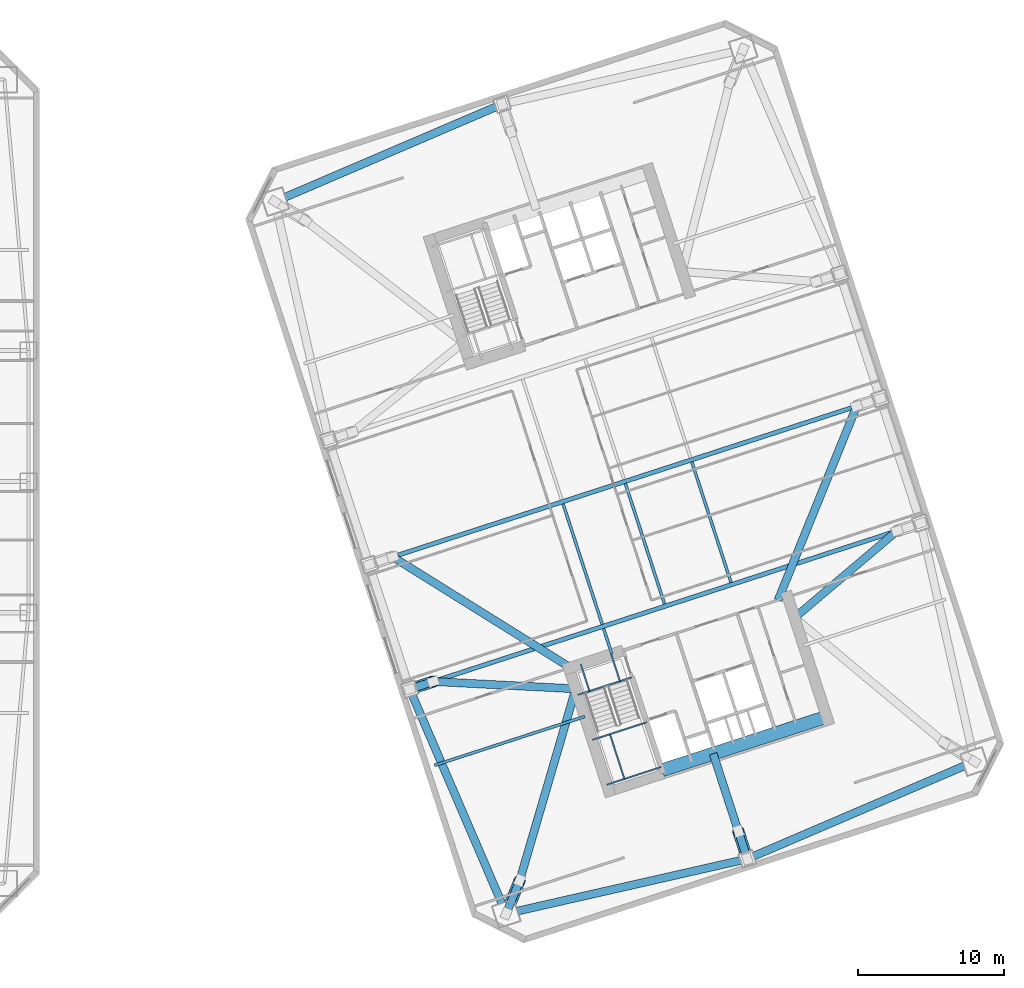
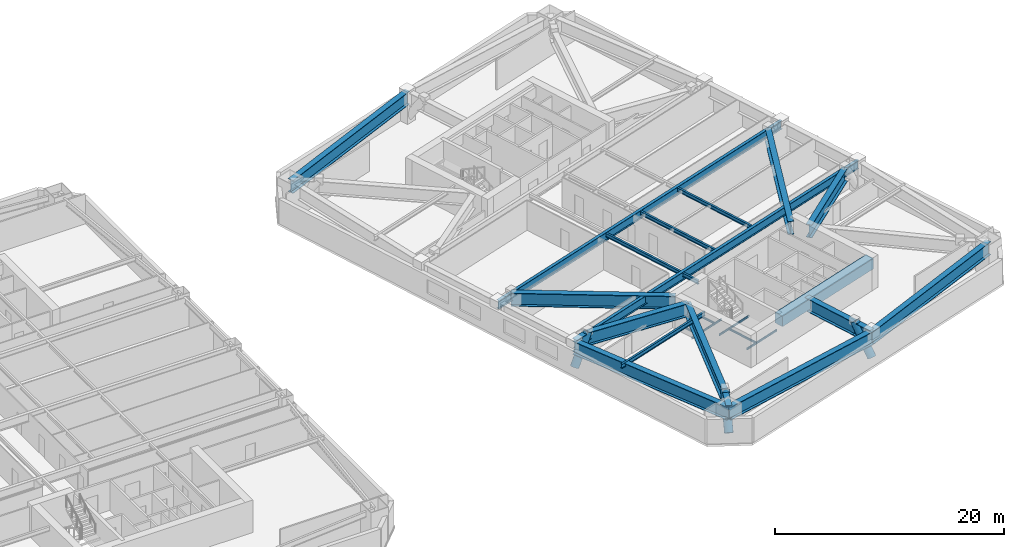
# One storey, part 7 of 18: 27 beams, 3 members.
"""IFC4 building model written with IfcOpenShell, lengths in metres."""

from ifc_helpers import new_model, si_unit, direction, frame, origin, origin_2d, place, context, subcontext, project, spatial, rectangle, hollow_circle, i_section, extrude, material, material_profile, profile_set, type_object, element, save


model = new_model("IFC4")

# Units and contexts
model_context = context("Model", 3, precision=1e-05, world=origin(), true_north=direction((0.0, 1.0)))
body_context = subcontext(model_context, "Body", "Model", "MODEL_VIEW")
ifc_project = project(units=[si_unit("LENGTHUNIT", "METRE"), si_unit("AREAUNIT", "SQUARE_METRE"), si_unit("VOLUMEUNIT", "CUBIC_METRE"), si_unit("PLANEANGLEUNIT", "RADIAN"), si_unit("MASSUNIT", "GRAM", prefix="KILO")], contexts=[model_context])

# Site, building, storey
site_placement = place(None, origin())
site = spatial("IfcSite", under=ifc_project, at=site_placement, CompositionType="ELEMENT")
building_placement = place(site_placement, origin())
building = spatial("IfcBuilding", under=site, at=building_placement, Name="Qiaolan Cultural Towers", CompositionType="ELEMENT")
storey_placement = place(building_placement, frame((0.0, 0.0, 74.75)))
storey = spatial("IfcBuildingStorey", under=building, at=storey_placement, Name="L18", CompositionType="ELEMENT", Elevation=74.75)

# Beams
ifc_material_1 = material(Name="Steel Q420GJB", Category="steel")
ifc_material_profile_1 = material_profile(ifc_material_1, i_section(OverallWidth=0.550048828125, OverallDepth=1.39990234375, WebThickness=0.031982421875, FlangeThickness=0.050048828125, at=origin_2d()), Name="BH1400x550x32x50")
ifc_profile_set_1 = profile_set([ifc_material_profile_1], Name="Steel Q420GJB")
beam_type_1 = type_object("IfcBeamType", Name="BM-BH1400x550x32x50", PredefinedType="BEAM", material=ifc_profile_set_1)
beam_1_placement = place(storey_placement, frame((81.862548828125, 4.32275390625, 2.530029296875), z_axis=(0.375732642979, 0.926728105217, 0.0), x_axis=(-0.926728105217, 0.375732642979, 0.0)))
element("IfcBeam", 1, at=beam_1_placement, inside=storey, type_object=beam_type_1, Name="L18 T2 Setback Transfer Girder MC-SW-A", PredefinedType="BEAM", context=body_context, shape_type="SweptSolid", body=[
    extrude(i_section(OverallWidth=0.550048828125, OverallDepth=1.39990234375, WebThickness=0.031982421875, FlangeThickness=0.050048828125, at=origin_2d()), origin(), (0.0, 0.0, 1.0), 2.4697265625),
])
beam_2_placement = place(storey_placement, frame((82.79052734375, 6.611572265625, 2.530029296875), z_axis=(0.28056168838, 0.959835995894, 0.0), x_axis=(-0.959835995894, 0.28056168838, 0.0)))
element("IfcBeam", 2, at=beam_2_placement, inside=storey, type_object=beam_type_1, Name="L18 T2 Setback Transfer Girder MC-SW-B", PredefinedType="BEAM", context=body_context, shape_type="SweptSolid", body=[
    extrude(i_section(OverallWidth=0.550048828125, OverallDepth=1.39990234375, WebThickness=0.031982421875, FlangeThickness=0.050048828125, at=origin_2d()), origin(), (0.0, 0.0, 1.0), 13.701904296875),
])
beam_3_placement = place(storey_placement, frame((75.234130859375, 19.739013671875, 2.530029296875), z_axis=(0.951054116971, 0.309024378638, 0.0), x_axis=(-0.309024378638, 0.951054116971, 0.0)))
element("IfcBeam", 3, at=beam_3_placement, inside=storey, type_object=beam_type_1, Name="L18 T2 Setback Transfer Girder PC-W1-A", PredefinedType="BEAM", context=body_context, shape_type="SweptSolid", body=[
    extrude(i_section(OverallWidth=0.550048828125, OverallDepth=1.39990234375, WebThickness=0.031982421875, FlangeThickness=0.050048828125, at=origin_2d()), origin(), (0.0, 0.0, 1.0), 1.7001953125),
])
beam_4_placement = place(storey_placement, frame((76.85107421875, 20.264404296875, 2.530029296875), z_axis=(0.998690309504, -0.051163128348, 0.0), x_axis=(0.051163128348, 0.998690309504, 0.0)))
element("IfcBeam", 4, at=beam_4_placement, inside=storey, type_object=beam_type_1, Name="L18 T2 Setback Transfer Girder PC-W1-B", PredefinedType="BEAM", context=body_context, shape_type="SweptSolid", body=[
    extrude(i_section(OverallWidth=0.550048828125, OverallDepth=1.39990234375, WebThickness=0.031982421875, FlangeThickness=0.050048828125, at=origin_2d()), origin(), (0.0, 0.0, 1.0), 9.796630859375),
])
beam_5_placement = place(storey_placement, frame((74.06982421875, 28.823974609375, 2.530029296875), z_axis=(0.848609454761, -0.529019842057, 0.0), x_axis=(0.529019842057, 0.848609454761, 0.0)))
element("IfcBeam", 5, at=beam_5_placement, inside=storey, type_object=beam_type_1, Name="L18 T2 Setback Transfer Girder PC-W2-B", PredefinedType="BEAM", context=body_context, shape_type="SweptSolid", body=[
    extrude(i_section(OverallWidth=0.550048828125, OverallDepth=1.39990234375, WebThickness=0.031982421875, FlangeThickness=0.050048828125, at=origin_2d()), origin(), (0.0, 0.0, 1.0), 14.372314453125),
])
beam_6_placement = place(storey_placement, frame((108.71142578125, 30.616455078125, 2.530029296875), z_axis=(-0.763104547734, -0.646275056944, 0.0), x_axis=(0.646275056944, -0.763104547734, 0.0)))
element("IfcBeam", 6, at=beam_6_placement, inside=storey, type_object=beam_type_1, Name="L18 T2 Setback Transfer Girder PC-E1-B", PredefinedType="BEAM", context=body_context, shape_type="SweptSolid", body=[
    extrude(i_section(OverallWidth=0.550048828125, OverallDepth=1.39990234375, WebThickness=0.031982421875, FlangeThickness=0.050048828125, at=origin_2d()), origin(), (0.0, 0.0, 1.0), 9.238525390625),
])
beam_7_placement = place(storey_placement, frame((105.93017578125, 39.176025390625, 2.530029296875), z_axis=(-0.375580900469, -0.926789613237, 0.0), x_axis=(0.926789613237, -0.375580900469, 0.0)))
element("IfcBeam", 7, at=beam_7_placement, inside=storey, type_object=beam_type_1, Name="L18 T2 Setback Transfer Girder PC-E2-B", PredefinedType="BEAM", context=body_context, shape_type="SweptSolid", body=[
    extrude(i_section(OverallWidth=0.550048828125, OverallDepth=1.39990234375, WebThickness=0.031982421875, FlangeThickness=0.050048828125, at=origin_2d()), origin(), (0.0, 0.0, 1.0), 14.372314453125),
])
beam_8_placement = place(storey_placement, frame((98.420654296875, 8.083740234375, 2.530029296875), z_axis=(-0.308967378027, 0.951072636193, 0.0), x_axis=(-0.951072636193, -0.308967378027, 0.0)))
element("IfcBeam", 8, at=beam_8_placement, inside=storey, type_object=beam_type_1, Name="L18 T2 Setback Transfer Girder PC-S0-A", PredefinedType="BEAM", context=body_context, shape_type="SweptSolid", body=[
    extrude(i_section(OverallWidth=0.550048828125, OverallDepth=1.39990234375, WebThickness=0.031982421875, FlangeThickness=0.050048828125, at=origin_2d()), origin(), (0.0, 0.0, 1.0), 2.0),
])
beam_9_placement = place(storey_placement, frame((97.802734375, 9.98583984375, 2.530029296875), z_axis=(-0.309012137225, 0.951058094465, 0.0), x_axis=(-0.951058094465, -0.309012137225, 0.0)))
element("IfcBeam", 9, at=beam_9_placement, inside=storey, type_object=beam_type_1, Name="L18 T2 Setback Transfer Girder PC-S0-B", PredefinedType="BEAM", context=body_context, shape_type="SweptSolid", body=[
    extrude(i_section(OverallWidth=0.550048828125, OverallDepth=1.39990234375, WebThickness=0.031982421875, FlangeThickness=0.050048828125, at=origin_2d()), origin(), (0.0, 0.0, 1.0), 5.60009765625),
])
for number, where, z_axis, x_axis, name in (
    (10, (81.862548828125, 4.32275390625, 2.489990234375), (0.975161095889, 0.221496810506, 0.0), (-0.221496810506, 0.975161095889, 0.0), "L18 T2 Perimeter Spandrel Beam 1"),
    (11, (98.420654296875, 8.083740234375, 2.489990234375), (0.919108584923, 0.394004326272, 0.0), (-0.394004326272, 0.919108584923, 0.0), "L18 T2 Perimeter Spandrel Beam 2"),
    (12, (81.579345703125, 59.916259765625, 2.489990234375), (-0.919108584923, -0.394004326272, 0.0), (0.394004326272, -0.919108584923, 0.0), "L18 T2 Perimeter Spandrel Beam 8"),
):
    element("IfcBeam", number, at=place(storey_placement, frame(where, z_axis=z_axis, x_axis=x_axis)), inside=storey, type_object=beam_type_1, Name=name, PredefinedType="BEAM", context=body_context, shape_type="SweptSolid", body=[
        extrude(i_section(OverallWidth=0.550048828125, OverallDepth=1.39990234375, WebThickness=0.031982421875, FlangeThickness=0.050048828125, at=origin_2d()), origin(), (0.0, 0.0, 1.0), 16.97998046875),
    ])
beam_10_placement = place(storey_placement, frame((75.234130859375, 19.739013671875, 2.489990234375), z_axis=(0.394998896054, -0.918681594524, 0.0), x_axis=(0.918681594524, 0.394998896054, 0.0)))
element("IfcBeam", 13, at=beam_10_placement, inside=storey, type_object=beam_type_1, Name="L18 T2 Perimeter Spandrel Beam 12", PredefinedType="BEAM", context=body_context, shape_type="SweptSolid", body=[
    extrude(i_section(OverallWidth=0.550048828125, OverallDepth=1.39990234375, WebThickness=0.031982421875, FlangeThickness=0.050048828125, at=origin_2d()), origin(), (0.0, 0.0, 1.0), 16.78076171875),
])
ifc_material_2 = material(Name="Steel Q355B", Category="steel")
ifc_material_profile_2 = material_profile(ifc_material_2, i_section(OverallWidth=0.300048828125, OverallDepth=0.89990234375, WebThickness=0.01611328125, FlangeThickness=0.028076171875, at=origin_2d()), Name="HN900x300x16x28")
ifc_profile_set_2 = profile_set([ifc_material_profile_2], Name="Steel Q355B")
beam_type_2 = type_object("IfcBeamType", Name="BM-HN900x300x16x28", PredefinedType="BEAM", material=ifc_profile_set_2)
beam_11_placement = place(storey_placement, frame((75.234130859375, 19.739013671875, 2.739990234375), z_axis=(0.951055702987, 0.309019497469, 0.0), x_axis=(-0.309019497469, 0.951055702987, 0.0)))
element("IfcBeam", 14, at=beam_11_placement, inside=storey, type_object=beam_type_2, Name="L18 T2 Primary Transverse Girder V1", PredefinedType="BEAM", context=body_context, shape_type="SweptSolid", body=[
    extrude(i_section(OverallWidth=0.300048828125, OverallDepth=0.89990234375, WebThickness=0.01611328125, FlangeThickness=0.028076171875, at=origin_2d()), origin(), (0.0, 0.0, 1.0), 36.900146484375),
])
beam_12_placement = place(storey_placement, frame((72.453125, 28.298583984375, 2.739990234375), z_axis=(0.951055071173, 0.309021441968, 0.0), x_axis=(-0.309021441968, 0.951055071173, 0.0)))
element("IfcBeam", 15, at=beam_12_placement, inside=storey, type_object=beam_type_2, Name="L18 T2 Primary Transverse Girder V2", PredefinedType="BEAM", context=body_context, shape_type="SweptSolid", body=[
    extrude(i_section(OverallWidth=0.300048828125, OverallDepth=0.89990234375, WebThickness=0.01611328125, FlangeThickness=0.028076171875, at=origin_2d()), origin(), (0.0, 0.0, 1.0), 36.89990234375),
])
ifc_material_3 = material(Name="Steel Q355B", Category="steel")
ifc_material_profile_3 = material_profile(ifc_material_3, i_section(OverallWidth=0.199951171875, OverallDepth=0.39990234375, WebThickness=0.008056640625, FlangeThickness=0.012939453125, at=origin_2d()), Name="HN400x200x8x13")
ifc_profile_set_3 = profile_set([ifc_material_profile_3], Name="Steel Q355B")
beam_type_3 = type_object("IfcBeamType", Name="BM-JST-HN400x200x8x13", PredefinedType="JOIST", material=ifc_profile_set_3)
beam_13_placement = place(storey_placement, frame((89.119384765625, 22.147705078125, 2.989990234375), z_axis=(-0.308933885266, 0.951083516067, 0.0), x_axis=(-0.951083516067, -0.308933885266, 0.0)))
element("IfcBeam", 16, at=beam_13_placement, inside=storey, type_object=beam_type_3, Name="L18 T2 Secondary Floor Joist U1-1", PredefinedType="JOIST", context=body_context, shape_type="SweptSolid", body=[
    extrude(i_section(OverallWidth=0.199951171875, OverallDepth=0.39990234375, WebThickness=0.008056640625, FlangeThickness=0.012939453125, at=origin_2d()), origin(), (0.0, 0.0, 1.0), 1.85009765625),
])
for number, where, z_axis, x_axis, name in (
    (17, (88.455078125, 24.192626953125, 2.989990234375), (-0.309020714809, 0.951055307445, 0.0), (-0.951055307445, -0.309020714809, 0.0), "L18 T2 Secondary Floor Joist U1-2"),
    (18, (92.73486328125, 25.583251953125, 2.989990234375), (-0.309020714809, 0.951055307445, 0.0), (-0.951055307445, -0.309020714809, 0.0), "L18 T2 Secondary Floor Joist U2-2"),
    (19, (97.2998046875, 27.06640625, 2.989990234375), (-0.309020714809, 0.951055307445, 0.0), (-0.951055307445, -0.309020714809, 0.0), "L18 T2 Secondary Floor Joist U3-2"),
):
    element("IfcBeam", number, at=place(storey_placement, frame(where, z_axis=z_axis, x_axis=x_axis)), inside=storey, type_object=beam_type_3, Name=name, PredefinedType="JOIST", context=body_context, shape_type="SweptSolid", body=[
        extrude(i_section(OverallWidth=0.199951171875, OverallDepth=0.39990234375, WebThickness=0.008056640625, FlangeThickness=0.012939453125, at=origin_2d()), origin(), (0.0, 0.0, 1.0), 8.699951171875),
    ])
ifc_material_4 = material(Name="Steel Q355B", Category="steel")
ifc_material_profile_4 = material_profile(ifc_material_4, i_section(OverallWidth=0.199951171875, OverallDepth=0.449951171875, WebThickness=0.009033203125, FlangeThickness=0.013916015625, at=origin_2d()), Name="HN450x200x9x14")
ifc_profile_set_4 = profile_set([ifc_material_profile_4], Name="Steel Q355B")
beam_type_4 = type_object("IfcBeamType", Name="BM-LNT-HN450x200x9x14", PredefinedType="LINTEL", material=ifc_profile_set_4)
beam_14_placement = place(storey_placement, frame((87.252685546875, 17.861083984375, 2.965087890625), z_axis=(-0.95105688584, -0.30901585703, 0.0), x_axis=(0.30901585703, -0.95105688584, 0.0)))
element("IfcBeam", 20, at=beam_14_placement, inside=storey, type_object=beam_type_4, Name="L18 T2 Core Flank Tie Lintel WS", PredefinedType="LINTEL", context=body_context, shape_type="SweptSolid", body=[
    extrude(i_section(OverallWidth=0.199951171875, OverallDepth=0.449951171875, WebThickness=0.009033203125, FlangeThickness=0.013916015625, at=origin_2d()), origin(), (0.0, 0.0, 1.0), 10.849853515625),
])
ifc_material_5 = material(Name="Concrete C50", Category="concrete")
ifc_material_profile_5 = material_profile(ifc_material_5, rectangle(XDim=0.89990234375, YDim=1.10009765625, at=origin_2d()), Name="RC900x1100")
ifc_profile_set_5 = profile_set([ifc_material_profile_5], Name="Concrete C50")
beam_type_5 = type_object("IfcBeamType", Name="BM-RC900x1100", PredefinedType="BEAM", material=ifc_profile_set_5)
beam_15_placement = place(storey_placement, frame((92.572265625, 14.174560546875, 2.639892578125), z_axis=(0.951056266386, 0.309017763514, 0.0), x_axis=(-0.309017763514, 0.951056266386, 0.0)))
element("IfcBeam", 21, at=beam_15_placement, inside=storey, type_object=beam_type_5, Name="L18 T2 Core Header Girder S", PredefinedType="BEAM", context=body_context, shape_type="SweptSolid", body=[
    extrude(rectangle(XDim=0.89990234375, YDim=1.10009765625, at=origin_2d()), origin(), (0.0, 0.0, 1.0), 11.880126953125),
])
ifc_material_6 = material(Name="Steel Q355B", Category="steel")
ifc_material_profile_6 = material_profile(ifc_material_6, i_section(OverallWidth=0.10009765625, OverallDepth=0.199951171875, WebThickness=0.005615234375, FlangeThickness=0.008056640625, at=origin_2d()), Name="HN200x100x5.5x8")
ifc_profile_set_6 = profile_set([ifc_material_profile_6], Name="Steel Q355B")
beam_type_6 = type_object("IfcBeamType", Name="BM-STTRIM-200", PredefinedType="BEAM", material=ifc_profile_set_6)
beam_16_placement = place(storey_placement, frame((86.770751953125, 19.3447265625, -0.4599609375), z_axis=(0.951047798727, 0.309043823005, 0.0), x_axis=(-0.309043823005, 0.951047798727, 0.0)))
element("IfcBeam", 22, at=beam_16_placement, inside=storey, type_object=beam_type_6, Name="L18 ST-E1 Floor Landing Header Beam", PredefinedType="BEAM", context=body_context, shape_type="SweptSolid", body=[
    extrude(i_section(OverallWidth=0.10009765625, OverallDepth=0.199951171875, WebThickness=0.005615234375, FlangeThickness=0.008056640625, at=origin_2d()), origin(), (0.0, 0.0, 1.0), 3.919921875),
])
for number, where, z_axis, x_axis, name in (
    (23, (86.9794921875, 21.452392578125, -0.4599609375), (0.309083226701, -0.951034993558, 0.0), (0.951034993558, 0.309083226701, 0.0), "L18 ST-E1 Floor Landing Stringer 1"),
    (24, (89.07177734375, 22.13232421875, -0.4599609375), (0.309083226701, -0.951034993558, 0.0), (0.951034993558, 0.309083226701, 0.0), "L18 ST-E1 Floor Landing Stringer 2"),
):
    element("IfcBeam", number, at=place(storey_placement, frame(where, z_axis=z_axis, x_axis=x_axis)), inside=storey, type_object=beam_type_6, Name=name, PredefinedType="BEAM", context=body_context, shape_type="SweptSolid", body=[
        extrude(i_section(OverallWidth=0.10009765625, OverallDepth=0.199951171875, WebThickness=0.005615234375, FlangeThickness=0.008056640625, at=origin_2d()), origin(), (0.0, 0.0, 1.0), 1.93994140625),
    ])
for number, where, z_axis, x_axis, name in (
    (25, (87.774658203125, 16.255126953125, 1.425048828125), (0.951047798727, 0.309043823005, 0.0), (-0.309043823005, 0.951047798727, 0.0), "L18 ST-E1 Stair Landing Support Beam 1-1"),
    (26, (88.773193359375, 13.181884765625, 1.425048828125), (0.951047798727, 0.309043823005, 0.0), (-0.309043823005, 0.951047798727, 0.0), "L18 ST-E1 Stair Landing Support Beam 1-2"),
):
    element("IfcBeam", number, at=place(storey_placement, frame(where, z_axis=z_axis, x_axis=x_axis)), inside=storey, type_object=beam_type_6, Name=name, PredefinedType="BEAM", context=body_context, shape_type="SweptSolid", body=[
        extrude(i_section(OverallWidth=0.10009765625, OverallDepth=0.199951171875, WebThickness=0.005615234375, FlangeThickness=0.008056640625, at=origin_2d()), origin(), (0.0, 0.0, 1.0), 3.919921875),
    ])
beam_17_placement = place(storey_placement, frame((88.982421875, 16.6474609375, 1.425048828125), z_axis=(0.309033108495, -0.951051280349, 0.0), x_axis=(0.951051280349, 0.309033108495, 0.0)))
element("IfcBeam", 27, at=beam_17_placement, inside=storey, type_object=beam_type_6, Name="L18 ST-E1 Stair Landing Trimmer 1", PredefinedType="BEAM", context=body_context, shape_type="SweptSolid", body=[
    extrude(i_section(OverallWidth=0.10009765625, OverallDepth=0.199951171875, WebThickness=0.005615234375, FlangeThickness=0.008056640625, at=origin_2d()), origin(), (0.0, 0.0, 1.0), 3.231201171875),
])

# Members
ifc_material_7 = material(Name="Steel Q390GJB", Category="steel")
ifc_material_profile_7 = material_profile(ifc_material_7, hollow_circle(Radius=0.39990234375, WallThickness=0.0400390625, at=origin_2d()), Name="CHS800x40")
ifc_profile_set_7 = profile_set([ifc_material_profile_7], Name="Steel Q390GJB")
member_type = type_object("IfcMemberType", Name="MBR-BRC-CHS800x40", PredefinedType="BRACE", material=ifc_profile_set_7)
member_1_placement = place(storey_placement, frame((81.862548828125, 4.32275390625, 0.300048828125), z_axis=(0.242164684407, 0.597288586245, 0.764593101177), x_axis=(-0.926728105217, 0.375732642979, 0.0)))
element("IfcMember", 28, at=member_1_placement, inside=storey, type_object=member_type, Name="L18 T2 Setback Transfer Raker Strut MC-SW", PredefinedType="BRACE", context=body_context, shape_type="SweptSolid", body=[
    extrude(hollow_circle(Radius=0.39990234375, WallThickness=0.0400390625, at=origin_2d()), origin(), (0.0, 0.0, 1.0), 3.83203125),
])
member_2_placement = place(storey_placement, frame((75.234130859375, 19.739013671875, 0.300048828125), z_axis=(0.477328859224, 0.155097645335, 0.864928829768), x_axis=(-0.309024378638, 0.951054116971, 0.0)))
element("IfcMember", 29, at=member_2_placement, inside=storey, type_object=member_type, Name="L18 T2 Setback Transfer Raker Strut PC-W1", PredefinedType="BRACE", context=body_context, shape_type="SweptSolid", body=[
    extrude(hollow_circle(Radius=0.39990234375, WallThickness=0.0400390625, at=origin_2d()), origin(), (0.0, 0.0, 1.0), 3.387451171875),
])
member_3_placement = place(storey_placement, frame((98.420654296875, 8.083740234375, 0.300048828125), z_axis=(-0.174187721567, 0.536189861214, 0.82592921633), x_axis=(-0.951072636193, -0.308967378027, 0.0)))
element("IfcMember", 30, at=member_3_placement, inside=storey, type_object=member_type, Name="L18 T2 Setback Transfer Raker Strut PC-S0", PredefinedType="BRACE", context=body_context, shape_type="SweptSolid", body=[
    extrude(hollow_circle(Radius=0.39990234375, WallThickness=0.0400390625, at=origin_2d()), origin(), (0.0, 0.0, 1.0), 3.54736328125),
])

save(model, "model.ifc")
